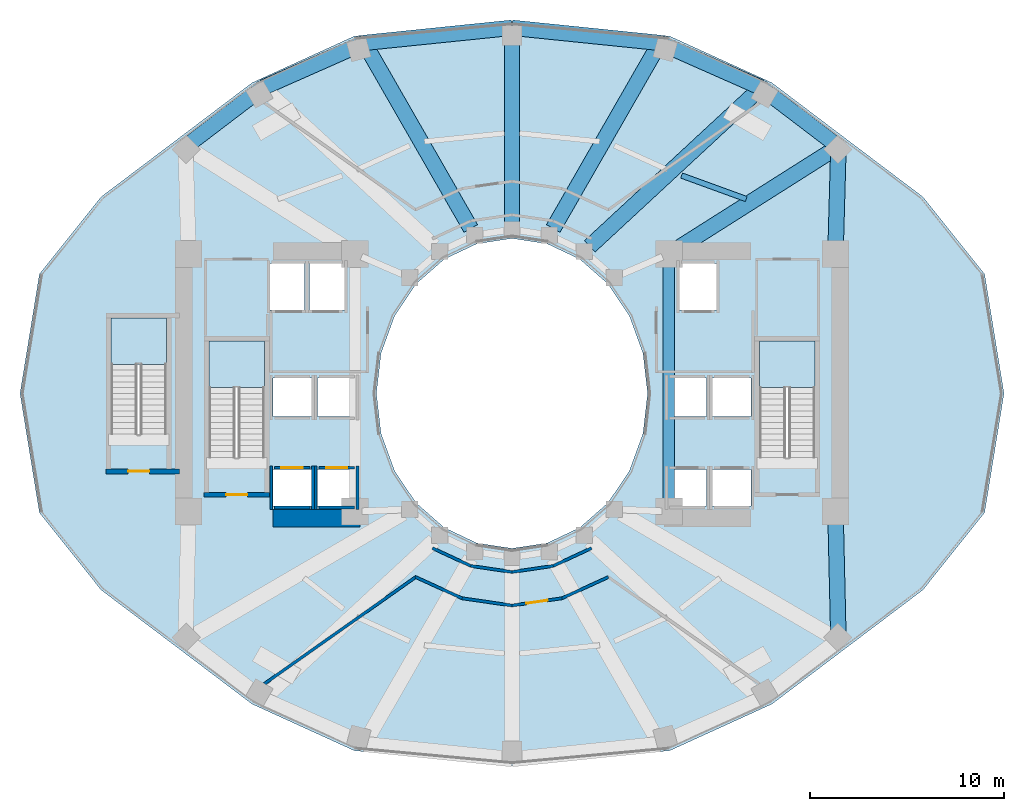
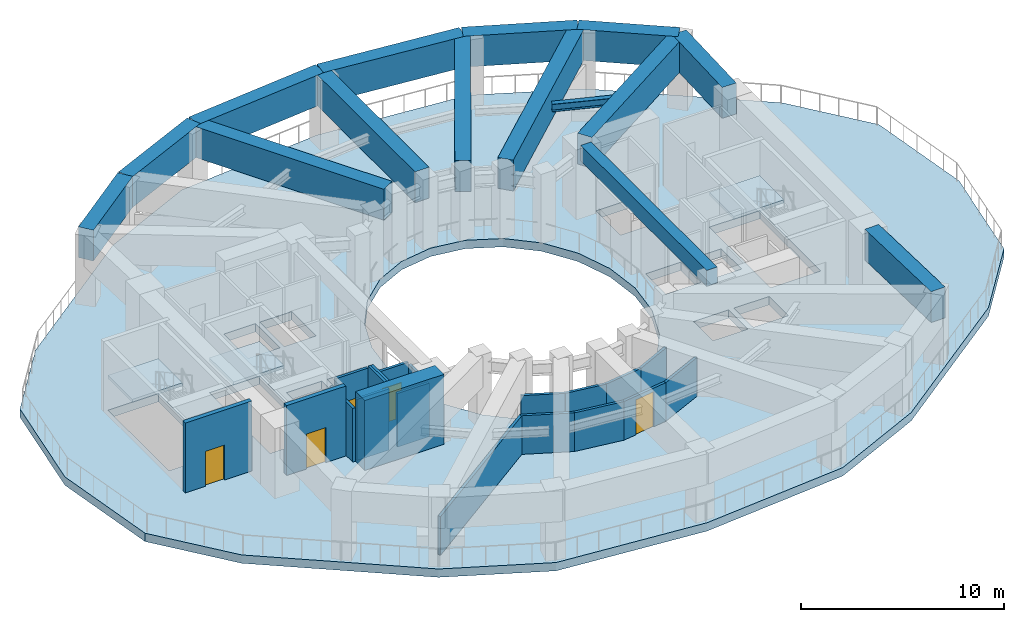
# One storey, part 2 of 10: 20 walls, 15 beams, 5 doors, 4 slabs, 5 openings, 3 elements without a shape of their own.
"""IFC4 building model written with IfcOpenShell, lengths in metres."""

import ifcopenshell
import ifcopenshell.guid

model = None  # the IFC model being written
_history = None  # IfcOwnerHistory: only IFC2X3 demands one
_inside = {}  # id of a spatial element -> (the spatial element, [elements in it])
_under = {}  # id of a project, library or spatial element -> (it, [spatial elements below it])
_declared = {}  # id of a project -> (the project, [libraries it declares])
_typed = {}  # id of a type object -> (the type object, [elements of that type])
_made_of = {}  # id of a material, layer set ... -> (it, [elements and type objects made of it])


def new_model(schema):
    """Start an empty IFC model of exactly this schema.

    Asked for "IFC4X3", IfcOpenShell would pick the latest addendum, in which some entities
    have other attributes; the version numbers below select the first issue.
    IFC2X3 requires an IfcOwnerHistory on every rooted entity: one is made here for all.
    """
    global model, _history
    if schema == "IFC4X3":
        model = ifcopenshell.file(schema_version=(4, 3, 0, 0))
    else:
        model = ifcopenshell.file(schema=schema)
    _inside.clear()
    _under.clear()
    _declared.clear()
    _typed.clear()
    _made_of.clear()
    _history = None
    if model.schema == "IFC2X3":
        org = make("IfcOrganization", Name="unknown")
        user = make(
            "IfcPersonAndOrganization",
            ThePerson=make("IfcPerson", FamilyName="unknown"),
            TheOrganization=org,
        )
        app = make(
            "IfcApplication",
            ApplicationDeveloper=org,
            Version="unknown",
            ApplicationFullName="unknown",
            ApplicationIdentifier="unknown",
        )
        _history = make(
            "IfcOwnerHistory",
            OwningUser=user,
            OwningApplication=app,
            ChangeAction="ADDED",
            CreationDate=0,
        )
    return model


def make(cls, **values):
    """One entity of the class cls with the attributes given. An attribute that is None is left unset."""
    return model.create_entity(
        cls, **{name: value for name, value in values.items() if value is not None}
    )


def rooted(cls, **values):
    """An entity with a GlobalId (a new one), such as an element, a storey or a relation."""
    return make(cls, GlobalId=ifcopenshell.guid.new(), OwnerHistory=_history, **values)


def si_unit(unit_type, name, prefix=None):
    """IfcSIUnit, for example si_unit("LENGTHUNIT", "METRE", prefix="MILLI")."""
    return make("IfcSIUnit", UnitType=unit_type, Prefix=prefix, Name=name)


def assignment(units):
    """IfcUnitAssignment: the units of a project."""
    return None if units is None else make("IfcUnitAssignment", Units=units)


def point(xyz):
    """IfcCartesianPoint."""
    return None if xyz is None else make("IfcCartesianPoint", Coordinates=xyz)


def direction(xyz):
    """IfcDirection."""
    return None if xyz is None else make("IfcDirection", DirectionRatios=xyz)


def frame(location, z_axis=None, x_axis=None):
    """IfcAxis2Placement3D, a coordinate frame: its origin and axes. An axis left out is left unset."""
    return make(
        "IfcAxis2Placement3D",
        Location=point(location),
        Axis=direction(z_axis),
        RefDirection=direction(x_axis),
    )


def frame_2d(location, x_axis=None):
    """IfcAxis2Placement2D, a coordinate frame in the plane: its origin and x axis."""
    return make(
        "IfcAxis2Placement2D", Location=point(location), RefDirection=direction(x_axis)
    )


def origin():
    """The frame at (0, 0, 0) with its axes left unset."""
    return frame((0.0, 0.0, 0.0))


def origin_2d():
    """The frame at (0, 0) in the plane with its x axis left unset."""
    return frame_2d((0.0, 0.0))


def place(relative_to, where):
    """IfcLocalPlacement: puts the frame where relative to a parent placement (None: the world)."""
    return make(
        "IfcLocalPlacement", PlacementRelTo=relative_to, RelativePlacement=where
    )


def context(
    kind, dimensions, precision=None, world=None, true_north=None, identifier=None
):
    """IfcGeometricRepresentationContext, for example the 3D "Model" context."""
    return make(
        "IfcGeometricRepresentationContext",
        ContextIdentifier=identifier,
        ContextType=kind,
        CoordinateSpaceDimension=dimensions,
        Precision=precision,
        WorldCoordinateSystem=world,
        TrueNorth=true_north,
    )


def subcontext(parent, identifier, kind, view, scale=None):
    """IfcGeometricRepresentationSubContext, for example "Body" below "Model"."""
    return make(
        "IfcGeometricRepresentationSubContext",
        ContextIdentifier=identifier,
        ContextType=kind,
        ParentContext=parent,
        TargetScale=scale,
        TargetView=view,
    )


def project(units=None, contexts=None):
    """IfcProject with its units and contexts."""
    return rooted(
        "IfcProject",
        Name="project",
        RepresentationContexts=contexts,
        UnitsInContext=assignment(units),
    )


def spatial(cls, under=None, at=None, **own):
    """A site, building, storey or space (cls), placed at a placement, below another one or the project."""
    s = rooted(cls, ObjectPlacement=at, **own)
    if under is not None:
        _under.setdefault(under.id(), (under, []))[1].append(s)
    return s


def polyline(points):
    """IfcPolyline through the points."""
    return make("IfcPolyline", Points=[point(p) for p in points])


def profile(cls, at=None, kind="AREA", **sizes):
    """A parametric profile (cls). Its sizes go by their IFC names, for example OverallWidth=200.0."""
    return make(cls, ProfileType=kind, Position=at, **sizes)


def rectangle(**sizes):
    """IfcRectangleProfileDef."""
    return profile("IfcRectangleProfileDef", **sizes)


def i_section(**sizes):
    """IfcIShapeProfileDef."""
    return profile("IfcIShapeProfileDef", **sizes)


def outline(outer, holes=None, kind="AREA"):
    """IfcArbitraryClosedProfileDef: a profile drawn as a closed curve; with holes, ...WithVoids."""
    if holes is None:
        return make("IfcArbitraryClosedProfileDef", ProfileType=kind, OuterCurve=outer)
    return make(
        "IfcArbitraryProfileDefWithVoids",
        ProfileType=kind,
        OuterCurve=outer,
        InnerCurves=holes,
    )


def extrude(swept, where, along, depth):
    """IfcExtrudedAreaSolid: the profile swept, set in the frame where, extruded along a direction by depth."""
    return make(
        "IfcExtrudedAreaSolid",
        SweptArea=swept,
        Position=where,
        ExtrudedDirection=direction(along),
        Depth=depth,
    )


def shape(context_of_items, identifier, shape_type, items):
    """IfcShapeRepresentation: the items that make up one representation, for example the "Body"."""
    return make(
        "IfcShapeRepresentation",
        ContextOfItems=context_of_items,
        RepresentationIdentifier=identifier,
        RepresentationType=shape_type,
        Items=items,
    )


def material(Name=None, Category=None):
    """IfcMaterial."""
    return make("IfcMaterial", Name=Name, Category=Category)


def layer(
    of_material, thickness, ventilated=None, Name=None, Category=None, Priority=None
):
    """IfcMaterialLayer: one layer of a wall or slab, of a material (None: an air gap)."""
    return make(
        "IfcMaterialLayer",
        Material=of_material,
        LayerThickness=thickness,
        IsVentilated=ventilated,
        Name=Name,
        Category=Category,
        Priority=Priority,
    )


def layer_set(layers, Name=None):
    """IfcMaterialLayerSet."""
    return make("IfcMaterialLayerSet", MaterialLayers=layers, LayerSetName=Name)


def material_profile(
    of_material, cross_section, Name=None, Category=None, Priority=None
):
    """IfcMaterialProfile: a cross section and its material."""
    return make(
        "IfcMaterialProfile",
        Name=Name,
        Material=of_material,
        Profile=cross_section,
        Priority=Priority,
        Category=Category,
    )


def profile_set(profiles, Name=None, composite=None):
    """IfcMaterialProfileSet."""
    return make(
        "IfcMaterialProfileSet",
        Name=Name,
        MaterialProfiles=profiles,
        CompositeProfile=composite,
    )


def made_of(thing, what):
    """Note that an element or type object is made of a material, layer set ...; save() writes the relation."""
    if what is not None:
        _made_of.setdefault(what.id(), (what, []))[1].append(thing)
    return thing


def type_object(cls, material=None, **own):
    """A type object (cls), such as IfcWallType, which elements share."""
    return made_of(rooted(cls, **own), material)


def element(
    cls,
    number,
    at=None,
    inside=None,
    cuts=None,
    type_object=None,
    material=None,
    context=None,
    identifier="Body",
    shape_type=None,
    held_by="IfcProductDefinitionShape",
    body=None,
    shapes=None,
    **own,
):
    """One element of the class cls, such as IfcWall. Its Tag is "e" and its number.

    at: its placement. inside: the storey or other place that contains it. cuts: it is an
    opening in that element (IfcRelVoidsElement). A single representation is given by context,
    identifier, shape_type and body (its items); several are given by shapes. held_by: the class
    of the entity that holds the representations. save() writes the other relations.
    """
    e = rooted(cls, Tag="e%d" % number, ObjectPlacement=at, **own)
    if body is not None:
        shapes = [shape(context, identifier, shape_type, body)]
    if shapes is not None:
        e.Representation = make(held_by, Representations=shapes)
    if inside is not None:
        _inside.setdefault(inside.id(), (inside, []))[1].append(e)
    if cuts is not None:
        rooted(
            "IfcRelVoidsElement", RelatingBuildingElement=cuts, RelatedOpeningElement=e
        )
    if type_object is not None:
        _typed.setdefault(type_object.id(), (type_object, []))[1].append(e)
    return made_of(e, material)


def fill(opening, filler):
    """IfcRelFillsElement: the door or window that sits in an opening."""
    return rooted(
        "IfcRelFillsElement",
        RelatingOpeningElement=opening,
        RelatedBuildingElement=filler,
    )


def aggregate(whole, parts):
    """IfcRelAggregates: a whole, such as a stair, and the parts it consists of."""
    return rooted("IfcRelAggregates", RelatingObject=whole, RelatedObjects=parts)


def save(model, path):
    """Write the relations noted so far, then the file.

    IfcRelAggregates (storeys below a building ...), IfcRelContainedInSpatialStructure (elements
    in a storey), IfcRelDefinesByType, IfcRelAssociatesMaterial and IfcRelDeclares: one each for
    every whole, place, type object, material and project.
    """
    for whole, parts in _under.values():
        aggregate(whole, parts)
    for where, things in _inside.values():
        rooted(
            "IfcRelContainedInSpatialStructure",
            RelatedElements=things,
            RelatingStructure=where,
        )
    for kind, things in _typed.values():
        rooted("IfcRelDefinesByType", RelatedObjects=things, RelatingType=kind)
    for what, things in _made_of.values():
        rooted("IfcRelAssociatesMaterial", RelatedObjects=things, RelatingMaterial=what)
    for by, libraries in _declared.values():
        rooted("IfcRelDeclares", RelatingContext=by, RelatedDefinitions=libraries)
    model.write(path)


model = new_model("IFC4")

# Units and contexts
model_context = context("Model", 3, precision=1e-05, world=origin(), true_north=direction((0.0, 1.0)))
body_context = subcontext(model_context, "Body", "Model", "MODEL_VIEW")
ifc_project = project(units=[si_unit("LENGTHUNIT", "METRE"), si_unit("AREAUNIT", "SQUARE_METRE"), si_unit("VOLUMEUNIT", "CUBIC_METRE"), si_unit("PLANEANGLEUNIT", "RADIAN"), si_unit("MASSUNIT", "GRAM", prefix="KILO")], contexts=[model_context])

# Site, building, storey
site_placement = place(None, origin())
site = spatial("IfcSite", under=ifc_project, at=site_placement, CompositionType="ELEMENT")
building_placement = place(site_placement, origin())
building = spatial("IfcBuilding", under=site, at=building_placement, Name="Solvane Sanctuary Tower", CompositionType="ELEMENT")
storey_placement = place(building_placement, frame((0.0, 0.0, 69.0)))
storey = spatial("IfcBuildingStorey", under=building, at=storey_placement, Name="L20", CompositionType="ELEMENT", Elevation=69.0)

# Beams
ifc_material_1 = material(Name="Concrete C70/85", Category="concrete")
ifc_material_profile_1 = material_profile(ifc_material_1, rectangle(XDim=0.60009765625, YDim=0.949951171875, at=origin_2d()), Name="RC600X950")
ifc_profile_set_1 = profile_set([ifc_material_profile_1], Name="Concrete C70/85")
beam_type_1 = type_object("IfcBeamType", Name="Beam B-COUPLE RC600X950", PredefinedType="LINTEL", material=ifc_profile_set_1)
beam_1_placement = place(storey_placement, frame((40.10009765625, 17.35009765625, 3.72509765625), z_axis=(0.0, 1.0, 0.0), x_axis=(-1.0, 0.0, 0.0)))
element("IfcBeam", 1, at=beam_1_placement, inside=storey, type_object=beam_type_1, Name="L20 East Core Coupling Lintel", PredefinedType="LINTEL", context=body_context, shape_type="SweptSolid", body=[
    extrude(rectangle(XDim=0.60009765625, YDim=0.949951171875, at=origin_2d()), origin(), (0.0, 0.0, 1.0), 12.39990234375),
])
ifc_material_2 = material(Name="Steel ASTM A992 Grade 50", Category="steel")
ifc_material_profile_2 = material_profile(ifc_material_2, i_section(OverallWidth=0.280029296875, OverallDepth=0.462890625, WebThickness=0.0107421875, FlangeThickness=0.017333984375, FilletRadius=0.013916015625, at=origin_2d()), Name="W18X76")
ifc_profile_set_2 = profile_set([ifc_material_profile_2], Name="Steel ASTM A992 Grade 50")
beam_type_2 = type_object("IfcBeamType", Name="Beam B-SEC-JOIST W18X76", PredefinedType="JOIST", material=ifc_profile_set_2)
beam_2_placement = place(storey_placement, frame((40.757080078125, 34.24560546875, 3.466552734375), z_axis=(0.939885819985, -0.341488865693, 0.0), x_axis=(0.341488865693, 0.939885819985, 0.0)))
element("IfcBeam", 2, at=beam_2_placement, inside=storey, type_object=beam_type_2, Name="L20 Secondary Circumferential Joist 02-01", PredefinedType="JOIST", context=body_context, shape_type="SweptSolid", body=[
    extrude(i_section(OverallWidth=0.280029296875, OverallDepth=0.462890625, WebThickness=0.0107421875, FlangeThickness=0.017333984375, FilletRadius=0.013916015625, at=origin_2d()), origin(), (0.0, 0.0, 1.0), 3.54736328125),
])
ifc_material_profile_3 = material_profile(ifc_material_1, rectangle(XDim=0.800048828125, YDim=1.85009765625, at=origin_2d()), Name="RC800X1850")
ifc_profile_set_3 = profile_set([ifc_material_profile_3], Name="Concrete C70/85")
beam_type_3 = type_object("IfcBeamType", Name="Beam B-XFER-BLK RC800X1850", PredefinedType="BEAM", material=ifc_profile_set_3)
beam_3_placement = place(storey_placement, frame((40.404052734375, 30.392578125, 3.27490234375), z_axis=(0.844849604548, 0.535003874467, 0.0), x_axis=(-0.535003874467, 0.844849604548, 0.0)))
element("IfcBeam", 3, at=beam_3_placement, inside=storey, type_object=beam_type_3, Name="L20 Block-Shift Radial Transfer Girder 01A", PredefinedType="BEAM", context=body_context, shape_type="SweptSolid", body=[
    extrude(rectangle(XDim=0.800048828125, YDim=1.85009765625, at=origin_2d()), origin(), (0.0, 0.0, 1.0), 10.00048828125),
])
beam_4_placement = place(storey_placement, frame((36.019775390625, 30.59521484375, 3.27490234375), z_axis=(0.733470698512, 0.679721071046, 0.0), x_axis=(-0.679721071046, 0.733470698512, 0.0)))
element("IfcBeam", 4, at=beam_4_placement, inside=storey, type_object=beam_type_3, Name="L20 Block-Shift Radial Transfer Girder 02A", PredefinedType="BEAM", context=body_context, shape_type="SweptSolid", body=[
    extrude(rectangle(XDim=0.800048828125, YDim=1.85009765625, at=origin_2d()), origin(), (0.0, 0.0, 1.0), 12.05029296875),
])
beam_5_placement = place(storey_placement, frame((34.12744140625, 31.514404296875, 3.27490234375), z_axis=(0.497803215092, 0.867290008615, 0.0), x_axis=(-0.867290008615, 0.497803215092, 0.0)))
element("IfcBeam", 5, at=beam_5_placement, inside=storey, type_object=beam_type_3, Name="L20 Block-Shift Radial Transfer Girder 03A", PredefinedType="BEAM", context=body_context, shape_type="SweptSolid", body=[
    extrude(rectangle(XDim=0.800048828125, YDim=1.85009765625, at=origin_2d()), origin(), (0.0, 0.0, 1.0), 11.052490234375),
])
beam_6_placement = place(storey_placement, frame((32.0, 31.85498046875, 3.27490234375), z_axis=(0.0, 1.0, 0.0), x_axis=(-1.0, 0.0, 0.0)))
element("IfcBeam", 6, at=beam_6_placement, inside=storey, type_object=beam_type_3, Name="L20 Block-Shift Radial Transfer Girder 04A", PredefinedType="BEAM", context=body_context, shape_type="SweptSolid", body=[
    extrude(rectangle(XDim=0.800048828125, YDim=1.85009765625, at=origin_2d()), origin(), (0.0, 0.0, 1.0), 10.02490234375),
])
beam_7_placement = place(storey_placement, frame((29.87255859375, 31.514404296875, 3.27490234375), z_axis=(-0.497803215092, 0.867290008615, 0.0), x_axis=(-0.867290008615, -0.497803215092, 0.0)))
element("IfcBeam", 7, at=beam_7_placement, inside=storey, type_object=beam_type_3, Name="L20 Block-Shift Radial Transfer Girder 05A", PredefinedType="BEAM", context=body_context, shape_type="SweptSolid", body=[
    extrude(rectangle(XDim=0.800048828125, YDim=1.85009765625, at=origin_2d()), origin(), (0.0, 0.0, 1.0), 11.052490234375),
])
beam_8_placement = place(storey_placement, frame((15.14697265625, 35.742919921875, 3.27490234375), z_axis=(0.795461851464, 0.606003665719, 0.0), x_axis=(-0.606003665719, 0.795461851464, 0.0)))
element("IfcBeam", 8, at=beam_8_placement, inside=storey, type_object=beam_type_3, Name="L20 Perimeter Step Transfer Ring NTC07-NTC06", PredefinedType="BEAM", context=body_context, shape_type="SweptSolid", body=[
    extrude(rectangle(XDim=0.800048828125, YDim=1.85009765625, at=origin_2d()), origin(), (0.0, 0.0, 1.0), 5.021728515625),
])
beam_9_placement = place(storey_placement, frame((19.1416015625, 38.7861328125, 3.27490234375), z_axis=(0.914461816427, 0.404672196101, 0.0), x_axis=(-0.404672196101, 0.914461816427, 0.0)))
element("IfcBeam", 9, at=beam_9_placement, inside=storey, type_object=beam_type_3, Name="L20 Perimeter Step Transfer Ring NTC06-NTC05", PredefinedType="BEAM", context=body_context, shape_type="SweptSolid", body=[
    extrude(rectangle(XDim=0.800048828125, YDim=1.85009765625, at=origin_2d()), origin(), (0.0, 0.0, 1.0), 5.718017578125),
])
for number, where, z_axis, x_axis, name in (
    (10, (24.37060546875, 41.10009765625, 3.27490234375), (0.994817332657, 0.101678289936, 0.0), (-0.101678289936, 0.994817332657, 0.0), "L20 Perimeter Step Transfer Ring NTC05-NTC04"),
    (11, (32.0, 41.8798828125, 3.27490234375), (0.994817332657, -0.101678289936, 0.0), (0.101678289936, 0.994817332657, 0.0), "L20 Perimeter Step Transfer Ring NTC04-NTC03"),
):
    element("IfcBeam", number, at=place(storey_placement, frame(where, z_axis=z_axis, x_axis=x_axis)), inside=storey, type_object=beam_type_3, Name=name, PredefinedType="BEAM", context=body_context, shape_type="SweptSolid", body=[
        extrude(rectangle(XDim=0.800048828125, YDim=1.85009765625, at=origin_2d()), origin(), (0.0, 0.0, 1.0), 7.669189453125),
    ])
beam_10_placement = place(storey_placement, frame((39.62939453125, 41.10009765625, 3.27490234375), z_axis=(0.914461816427, -0.404672196101, 0.0), x_axis=(0.404672196101, 0.914461816427, 0.0)))
element("IfcBeam", 12, at=beam_10_placement, inside=storey, type_object=beam_type_3, Name="L20 Perimeter Step Transfer Ring NTC03-NTC02", PredefinedType="BEAM", context=body_context, shape_type="SweptSolid", body=[
    extrude(rectangle(XDim=0.800048828125, YDim=1.85009765625, at=origin_2d()), origin(), (0.0, 0.0, 1.0), 5.718017578125),
])
beam_11_placement = place(storey_placement, frame((44.8583984375, 38.7861328125, 3.27490234375), z_axis=(0.795461851464, -0.606003665719, 0.0), x_axis=(0.606003665719, 0.795461851464, 0.0)))
element("IfcBeam", 13, at=beam_11_placement, inside=storey, type_object=beam_type_3, Name="L20 Perimeter Step Transfer Ring NTC02-NTC01", PredefinedType="BEAM", context=body_context, shape_type="SweptSolid", body=[
    extrude(rectangle(XDim=0.800048828125, YDim=1.85009765625, at=origin_2d()), origin(), (0.0, 0.0, 1.0), 5.021728515625),
])
beam_12_placement = place(storey_placement, frame((48.85302734375, 35.742919921875, 3.27490234375), z_axis=(-0.027591940282, -0.999619269938, 0.0), x_axis=(0.999619269938, -0.027591940282, 0.0)))
element("IfcBeam", 14, at=beam_12_placement, inside=storey, type_object=beam_type_3, Name="L20 Perimeter Step Transfer Ring NTC01-CE3", PredefinedType="BEAM", context=body_context, shape_type="SweptSolid", body=[
    extrude(rectangle(XDim=0.800048828125, YDim=1.85009765625, at=origin_2d()), origin(), (0.0, 0.0, 1.0), 5.18505859375),
])
beam_13_placement = place(storey_placement, frame((48.85302734375, 10.257080078125, 3.27490234375), z_axis=(-0.023036434167, 0.999734626139, 0.0), x_axis=(-0.999734626139, -0.023036434167, 0.0)))
element("IfcBeam", 15, at=beam_13_placement, inside=storey, type_object=beam_type_3, Name="L20 Perimeter Step Transfer Ring NTC14-CE2", PredefinedType="BEAM", context=body_context, shape_type="SweptSolid", body=[
    extrude(rectangle(XDim=0.800048828125, YDim=1.85009765625, at=origin_2d()), origin(), (0.0, 0.0, 1.0), 6.28466796875),
])

# Stair, slab
ifc_material_3 = material(Name="Concrete C45/55", Category="concrete")
stair_type = type_object("IfcStairType", Name="Stair ST-TOW", PredefinedType="HALF_TURN_STAIR", material=ifc_material_3)
stair_1_placement = place(storey_placement, origin())
stair_1 = element("IfcStair", 16, at=stair_1_placement, inside=storey, type_object=stair_type, Name="L20 Exit Stair ST-1 West Core", PredefinedType="HALF_TURN_STAIR")
ifc_layer_1 = layer(ifc_material_3, 0.199951171875, Name="Concrete C45/55")
ifc_layer_set_1 = layer_set([ifc_layer_1], Name="Concrete C45/55")
slab_type_1 = type_object("IfcSlabType", Name="Slab SL-LAND-180", PredefinedType="LANDING", material=ifc_layer_set_1)
slab_1_placement = place(storey_placement, frame((0.0, 0.0, 1.89990234375)))
slab_1 = element("IfcSlab", 17, at=slab_1_placement, type_object=slab_type_1, Name="ST-1 landing 1", PredefinedType="LANDING", context=body_context, shape_type="SweptSolid", body=[
    extrude(outline(polyline([(19.219970703125, 23.300048828125), (19.219970703125, 25.699951171875), (16.360107421875, 25.699951171875), (16.360107421875, 23.300048828125), (19.219970703125, 23.300048828125)])), origin(), (0.0, 0.0, 1.0), 0.2001953125),
])
aggregate(stair_1, [slab_1])

stair_2_placement = place(storey_placement, origin())
stair_2 = element("IfcStair", 18, at=stair_2_placement, inside=storey, type_object=stair_type, Name="L20 Exit Stair ST-2 East Core", PredefinedType="HALF_TURN_STAIR")
slab_2_placement = place(storey_placement, frame((0.0, 0.0, 1.89990234375)))
slab_2 = element("IfcSlab", 19, at=slab_2_placement, type_object=slab_type_1, Name="ST-2 landing 1", PredefinedType="LANDING", context=body_context, shape_type="SweptSolid", body=[
    extrude(outline(polyline([(47.639892578125, 23.300048828125), (47.639892578125, 25.699951171875), (44.780029296875, 25.699951171875), (44.780029296875, 23.300048828125), (47.639892578125, 23.300048828125)])), origin(), (0.0, 0.0, 1.0), 0.2001953125),
])
aggregate(stair_2, [slab_2])

stair_3_placement = place(storey_placement, origin())
stair_3 = element("IfcStair", 20, at=stair_3_placement, inside=storey, type_object=stair_type, Name="L20 Exit Stair ST-3 Pilgrim Tower Stair", PredefinedType="HALF_TURN_STAIR")
slab_3_placement = place(storey_placement, frame((0.0, 0.0, 1.89990234375)))
slab_3 = element("IfcSlab", 21, at=slab_3_placement, type_object=slab_type_1, Name="ST-3 landing 1", PredefinedType="LANDING", context=body_context, shape_type="SweptSolid", body=[
    extrude(outline(polyline([(14.159912109375, 24.5), (14.159912109375, 26.89990234375), (11.300048828125, 26.89990234375), (11.300048828125, 24.5), (14.159912109375, 24.5)])), origin(), (0.0, 0.0, 1.0), 0.2001953125),
])
aggregate(stair_3, [slab_3])

# Slab
ifc_material_4 = material(Name="Concrete C60/75", Category="concrete")
ifc_layer_2 = layer(ifc_material_4, 0.5, Name="Concrete C60/75")
ifc_layer_set_2 = layer_set([ifc_layer_2], Name="Concrete C60/75")
slab_type_2 = type_object("IfcSlabType", Name="Slab SL-XFER-500", PredefinedType="FLOOR", material=ifc_layer_set_2)
slab_4_placement = place(storey_placement, frame((0.0, 0.0, -0.5)))
element("IfcSlab", 22, at=slab_4_placement, inside=storey, type_object=slab_type_2, Name="L20 Primary Structural Slab", PredefinedType="FLOOR", context=body_context, shape_type="SweptSolid", body=[
    extrude(outline(polyline([(57.39990234375, 23.0), (56.399169921875, 29.15478515625), (53.213623046875, 33.145751953125), (49.31591796875, 36.089111328125), (45.422119140625, 39.035400390625), (40.142333984375, 41.443359375), (32.0, 42.199951171875), (23.857666015625, 41.443359375), (18.577880859375, 39.035400390625), (14.68408203125, 36.089111328125), (10.786376953125, 33.145751953125), (7.600830078125, 29.15478515625), (6.60009765625, 23.0), (7.600830078125, 16.84521484375), (10.786376953125, 12.854248046875), (14.68408203125, 9.910888671875), (18.577880859375, 6.964599609375), (23.857666015625, 4.556640625), (32.0, 3.800048828125), (40.142333984375, 4.556640625), (45.422119140625, 6.964599609375), (49.31591796875, 9.910888671875), (53.213623046875, 12.854248046875), (56.399169921875, 16.84521484375), (57.39990234375, 23.0)]), holes=[polyline([(38.761474609375, 20.929443359375), (38.062255859375, 19.0), (36.94970703125, 17.343017578125), (35.5, 16.07177734375), (33.811767578125, 15.272705078125), (32.0, 15.0), (30.188232421875, 15.272705078125), (28.5, 16.07177734375), (27.05029296875, 17.343017578125), (25.937744140625, 19.0), (25.238525390625, 20.929443359375), (25.0, 23.0), (25.238525390625, 25.070556640625), (25.937744140625, 27.0), (27.05029296875, 28.656982421875), (28.5, 29.92822265625), (30.188232421875, 30.727294921875), (32.0, 31.0), (33.811767578125, 30.727294921875), (35.5, 29.92822265625), (36.94970703125, 28.656982421875), (38.062255859375, 27.0), (38.761474609375, 25.070556640625), (39.0, 23.0), (38.761474609375, 20.929443359375)]), polyline([(16.360107421875, 19.699951171875), (16.360107421875, 25.699951171875), (19.219970703125, 25.699951171875), (19.219970703125, 19.699951171875), (16.360107421875, 19.699951171875)]), polyline([(44.780029296875, 19.699951171875), (44.780029296875, 25.699951171875), (47.639892578125, 25.699951171875), (47.639892578125, 19.699951171875), (44.780029296875, 19.699951171875)]), polyline([(11.300048828125, 20.89990234375), (11.300048828125, 26.89990234375), (14.159912109375, 26.89990234375), (14.159912109375, 20.89990234375), (11.300048828125, 20.89990234375)]), polyline([(19.64990234375, 19.080078125), (21.64990234375, 19.080078125), (21.64990234375, 17.179931640625), (19.64990234375, 17.179931640625), (19.64990234375, 19.080078125)]), polyline([(21.949951171875, 19.080078125), (23.949951171875, 19.080078125), (23.949951171875, 17.179931640625), (21.949951171875, 17.179931640625), (21.949951171875, 19.080078125)]), polyline([(40.050048828125, 19.080078125), (42.050048828125, 19.080078125), (42.050048828125, 17.179931640625), (40.050048828125, 17.179931640625), (40.050048828125, 19.080078125)]), polyline([(42.35009765625, 19.080078125), (44.35009765625, 19.080078125), (44.35009765625, 17.179931640625), (42.35009765625, 17.179931640625), (42.35009765625, 19.080078125)]), polyline([(19.64990234375, 23.800048828125), (21.64990234375, 23.800048828125), (21.64990234375, 21.800048828125), (19.64990234375, 21.800048828125), (19.64990234375, 23.800048828125)]), polyline([(42.35009765625, 23.800048828125), (44.35009765625, 23.800048828125), (44.35009765625, 21.800048828125), (42.35009765625, 21.800048828125), (42.35009765625, 23.800048828125)]), polyline([(21.949951171875, 23.800048828125), (23.949951171875, 23.800048828125), (23.949951171875, 21.800048828125), (21.949951171875, 21.800048828125), (21.949951171875, 23.800048828125)]), polyline([(40.050048828125, 23.800048828125), (42.050048828125, 23.800048828125), (42.050048828125, 21.800048828125), (40.050048828125, 21.800048828125), (40.050048828125, 23.800048828125)]), polyline([(19.5, 29.699951171875), (21.300048828125, 29.699951171875), (21.300048828125, 27.300048828125), (19.5, 27.300048828125), (19.5, 29.699951171875)]), polyline([(21.550048828125, 29.699951171875), (23.35009765625, 29.699951171875), (23.35009765625, 27.300048828125), (21.550048828125, 27.300048828125), (21.550048828125, 29.699951171875)]), polyline([(40.64990234375, 29.699951171875), (42.550048828125, 29.699951171875), (42.550048828125, 27.300048828125), (40.64990234375, 27.300048828125), (40.64990234375, 29.699951171875)])]), origin(), (0.0, 0.0, 1.0), 0.5),
])

# Walls
ifc_layer_3 = layer(ifc_material_1, 0.89990234375, Name="Concrete C70/85")
ifc_layer_set_3 = layer_set([ifc_layer_3], Name="Concrete C70/85")
wall_type_1 = type_object("IfcWallType", Name="Wall W-CORE-900", PredefinedType="SHEAR", material=ifc_layer_set_3)
wall_1_placement = place(storey_placement, frame((19.64990234375, 16.550048828125, 0.0), z_axis=(0.0, 0.0, 1.0), x_axis=(1.0, 0.0, 0.0)))
element("IfcWall", 23, at=wall_1_placement, inside=storey, type_object=wall_type_1, Name="L20 Core Shear Wall WC-S", PredefinedType="SHEAR", context=body_context, shape_type="SweptSolid", body=[
    extrude(rectangle(XDim=4.5, YDim=0.89990234375, at=frame_2d((2.25, 0.0))), origin(), (0.0, 0.0, 1.0), 4.199951171875),
])
ifc_material_5 = material(Name="Acoustic Gypsum Partition Board")
ifc_layer_4 = layer(ifc_material_5, 0.14990234375, Name="Acoustic Gypsum Partition Board")
ifc_layer_set_4 = layer_set([ifc_layer_4], Name="Acoustic Gypsum Partition Board")
wall_type_2 = type_object("IfcWallType", Name="Wall W-CORR-150", PredefinedType="PARTITIONING", material=ifc_layer_set_4)
wall_2_placement = place(storey_placement, frame((27.889892578125, 15.01513671875, 0.0), z_axis=(0.0, 0.0, 1.0), x_axis=(0.906943449489, -0.421252393975, 0.0)))
element("IfcWall", 24, at=wall_2_placement, inside=storey, type_object=wall_type_2, Name="L20 Light-Well Corridor Rim Wall S1", PredefinedType="PARTITIONING", context=body_context, shape_type="SweptSolid", body=[
    extrude(rectangle(XDim=2.18603515625, YDim=0.14990234375, at=frame_2d((1.093017578125, 0.0))), origin(), (0.0, 0.0, 1.0), 2.320068359375),
])
for number, where, z_axis, x_axis, name in (
    (25, (29.87255859375, 14.09423828125, 0.0), (0.0, 0.0, 1.0), (0.989268584896, -0.146108408166, 0.0), "L20 Light-Well Corridor Rim Wall S2"),
    (26, (32.0, 13.780029296875, 0.0), (0.0, 0.0, 1.0), (0.989268584896, 0.146108408166, 0.0), "L20 Light-Well Corridor Rim Wall S3"),
):
    element("IfcWall", number, at=place(storey_placement, frame(where, z_axis=z_axis, x_axis=x_axis)), inside=storey, type_object=wall_type_2, Name=name, PredefinedType="PARTITIONING", context=body_context, shape_type="SweptSolid", body=[
        extrude(rectangle(XDim=2.150634765625, YDim=0.14990234375, at=frame_2d((1.0751953125, 0.0))), origin(), (0.0, 0.0, 1.0), 2.320068359375),
    ])
wall_3_placement = place(storey_placement, frame((34.12744140625, 14.09423828125, 0.0), z_axis=(0.0, 0.0, 1.0), x_axis=(0.906943449489, 0.421252393975, 0.0)))
element("IfcWall", 27, at=wall_3_placement, inside=storey, type_object=wall_type_2, Name="L20 Light-Well Corridor Rim Wall S4", PredefinedType="PARTITIONING", context=body_context, shape_type="SweptSolid", body=[
    extrude(rectangle(XDim=2.18603515625, YDim=0.14990234375, at=frame_2d((1.093017578125, 0.0))), origin(), (0.0, 0.0, 1.0), 2.320068359375),
])
wall_4_placement = place(storey_placement, frame((27.06591796875, 13.5458984375, 0.0), z_axis=(0.0, 0.0, 1.0), x_axis=(-0.817064271391, -0.576546595182, 0.0)))
element("IfcWall", 28, at=wall_4_placement, inside=storey, type_object=wall_type_2, Name="L20 Refuge Area Radial Screen 240", PredefinedType="PARTITIONING", context=body_context, shape_type="SweptSolid", body=[
    extrude(rectangle(XDim=9.61376953125, YDim=0.14990234375, at=frame_2d((4.806884765625, 0.0))), origin(), (0.0, 0.0, 1.0), 2.320068359375),
])
wall_5_placement = place(storey_placement, frame((27.01904296875, 13.520751953125, 0.0), z_axis=(0.0, 0.0, 1.0), x_axis=(0.909819048293, -0.415005179923, 0.0)))
element("IfcWall", 29, at=wall_5_placement, inside=storey, type_object=wall_type_2, Name="L20 Refuge Lobby Wall 2", PredefinedType="PARTITIONING", context=body_context, shape_type="SweptSolid", body=[
    extrude(rectangle(XDim=2.64599609375, YDim=0.14990234375, at=frame_2d((1.322998046875, 0.0))), origin(), (0.0, 0.0, 1.0), 2.320068359375),
])
wall_6_placement = place(storey_placement, frame((29.423095703125, 12.423583984375, 0.0), z_axis=(0.0, 0.0, 1.0), x_axis=(0.989670234806, -0.143362569518, 0.0)))
element("IfcWall", 30, at=wall_6_placement, inside=storey, type_object=wall_type_2, Name="L20 Refuge Lobby Wall 2", PredefinedType="PARTITIONING", context=body_context, shape_type="SweptSolid", body=[
    extrude(rectangle(XDim=2.60546875, YDim=0.14990234375, at=frame_2d((1.302734375, 0.0))), origin(), (0.0, 0.0, 1.0), 2.320068359375),
])

# Wall, opening, door
wall_7_placement = place(storey_placement, frame((31.998291015625, 12.050048828125, 0.0), z_axis=(0.0, 0.0, 1.0), x_axis=(0.989670234806, 0.143362569518, 0.0)))
wall_7 = element("IfcWall", 31, at=wall_7_placement, inside=storey, type_object=wall_type_2, Name="L20 Refuge Lobby Wall 2", PredefinedType="PARTITIONING", context=body_context, shape_type="SweptSolid", body=[
    extrude(rectangle(XDim=2.60546875, YDim=0.14990234375, at=frame_2d((1.302734375, 0.0))), origin(), (0.0, 0.0, 1.0), 2.320068359375),
])
opening_1_placement = place(wall_7_placement, frame((0.752685546875, 0.0, 0.0)))
opening_1 = element("IfcOpeningElement", 32, at=opening_1_placement, cuts=wall_7, Name="Opening D-L20-07", PredefinedType="OPENING", context=body_context, shape_type="SweptSolid", body=[
    extrude(rectangle(XDim=1.10009765625, YDim=2.10009765625, at=frame_2d((0.550048828125, 1.050048828125))), frame((0.0, 0.0849609375, 0.0), z_axis=(0.0, -1.0, 0.0), x_axis=(1.0, 0.0, 0.0)), (0.0, 0.0, 1.0), 0.169921875),
])
ifc_material_6 = material(Name="Architectural Stainless Steel 316", Category="steel")
door_type_1 = type_object("IfcDoorType", Name="Door D-FFL", OperationType="NOTDEFINED", PredefinedType="DOOR", material=ifc_material_6)
door_1_placement = place(opening_1_placement, origin())
door_1 = element("IfcDoor", 33, at=door_1_placement, inside=storey, type_object=door_type_1, Name="L20 South Open Sky Refuge Deck Door", OperationType="SINGLE_SWING_RIGHT", OverallHeight=2.10009765625, OverallWidth=1.10009765625, PredefinedType="DOOR", context=body_context, shape_type="SweptSolid", body=[
    extrude(rectangle(XDim=1.10009765625, YDim=2.10009765625, at=frame_2d((0.550048828125, 1.050048828125))), frame((0.0, 0.02490234375, 0.0), z_axis=(0.0, -1.0, 0.0), x_axis=(1.0, 0.0, 0.0)), (0.0, 0.0, 1.0), 0.050048828125),
])
fill(opening_1, door_1)

# Wall
wall_8_placement = place(storey_placement, frame((34.573486328125, 12.422607421875, 0.0), z_axis=(0.0, 0.0, 1.0), x_axis=(0.909819048293, 0.415005179923, 0.0)))
element("IfcWall", 34, at=wall_8_placement, inside=storey, type_object=wall_type_2, Name="L20 Refuge Lobby Wall 2", PredefinedType="PARTITIONING", context=body_context, shape_type="SweptSolid", body=[
    extrude(rectangle(XDim=2.64599609375, YDim=0.14990234375, at=frame_2d((1.322998046875, 0.0))), origin(), (0.0, 0.0, 1.0), 2.320068359375),
])

# Wall, opening, door
ifc_material_7 = material(Name="Concrete C50/60", Category="concrete")
ifc_layer_5 = layer(ifc_material_7, 0.14990234375, Name="Concrete C50/60")
ifc_layer_set_5 = layer_set([ifc_layer_5], Name="Concrete C50/60")
wall_type_3 = type_object("IfcWallType", Name="Wall W-SHAFT-150", PredefinedType="SOLIDWALL", material=ifc_layer_set_5)
wall_9_placement = place(storey_placement, frame((19.739990234375, 19.159912109375, 0.0), z_axis=(0.0, 0.0, 1.0), x_axis=(1.0, 0.0, 0.0)))
wall_9 = element("IfcWall", 35, at=wall_9_placement, inside=storey, type_object=wall_type_3, Name="L20 PL-1 Lift Shaft Wall F", PredefinedType="SOLIDWALL", context=body_context, shape_type="SweptSolid", body=[
    extrude(rectangle(XDim=1.820068359375, YDim=0.14990234375, at=frame_2d((0.91015625, 0.0))), origin(), (0.0, 0.0, 1.0), 3.675048828125),
])
opening_2_placement = place(wall_9_placement, frame((0.360107421875, 0.0, 0.0)))
opening_2 = element("IfcOpeningElement", 36, at=opening_2_placement, cuts=wall_9, Name="Opening LD-L20-01", PredefinedType="OPENING", context=body_context, shape_type="SweptSolid", body=[
    extrude(rectangle(XDim=1.10009765625, YDim=2.10009765625, at=frame_2d((0.550048828125, 1.050048828125))), frame((0.0, 0.0849609375, 0.0), z_axis=(0.0, -1.0, 0.0), x_axis=(1.0, 0.0, 0.0)), (0.0, 0.0, 1.0), 0.169921875),
])
door_type_2 = type_object("IfcDoorType", Name="Door LD-PASS-1100", OperationType="NOTDEFINED", PredefinedType="DOOR", material=ifc_material_6)
door_2_placement = place(opening_2_placement, origin())
door_2 = element("IfcDoor", 37, at=door_2_placement, inside=storey, type_object=door_type_2, Name="L20 PL-1 Lift Landing Door", OperationType="DOUBLE_DOOR_SLIDING", OverallHeight=2.10009765625, OverallWidth=1.10009765625, PredefinedType="DOOR", context=body_context, shape_type="SweptSolid", body=[
    extrude(rectangle(XDim=1.10009765625, YDim=2.10009765625, at=frame_2d((0.550048828125, 1.050048828125))), frame((0.0, 0.02490234375, 0.0), z_axis=(0.0, -1.0, 0.0), x_axis=(1.0, 0.0, 0.0)), (0.0, 0.0, 1.0), 0.050048828125),
])
fill(opening_2, door_2)

# Walls
wall_10_placement = place(storey_placement, frame((19.739990234375, 17.10009765625, 0.0), z_axis=(0.0, 0.0, 1.0), x_axis=(1.0, 0.0, 0.0)))
element("IfcWall", 38, at=wall_10_placement, inside=storey, type_object=wall_type_3, Name="L20 PL-1 Lift Shaft Wall B", PredefinedType="SOLIDWALL", context=body_context, shape_type="SweptSolid", body=[
    extrude(rectangle(XDim=1.820068359375, YDim=0.14990234375, at=frame_2d((0.91015625, 0.0))), origin(), (0.0, 0.0, 1.0), 3.675048828125),
])
wall_11_placement = place(storey_placement, frame((19.570068359375, 17.02001953125, 0.0), z_axis=(0.0, 0.0, 1.0), x_axis=(0.0, 1.0, 0.0)))
element("IfcWall", 39, at=wall_11_placement, inside=storey, type_object=wall_type_3, Name="L20 PL-1 Lift Shaft Wall S1", PredefinedType="SOLIDWALL", context=body_context, shape_type="SweptSolid", body=[
    extrude(rectangle(XDim=2.219970703125, YDim=0.14990234375, at=frame_2d((1.10986328125, 0.0))), origin(), (0.0, 0.0, 1.0), 3.219970703125),
])
wall_12_placement = place(storey_placement, frame((21.72998046875, 17.02001953125, 0.0), z_axis=(0.0, 0.0, 1.0), x_axis=(0.0, 1.0, 0.0)))
element("IfcWall", 40, at=wall_12_placement, inside=storey, type_object=wall_type_3, Name="L20 PL-1 Lift Shaft Wall S2", PredefinedType="SOLIDWALL", context=body_context, shape_type="SweptSolid", body=[
    extrude(rectangle(XDim=2.219970703125, YDim=0.14990234375, at=frame_2d((1.10986328125, 0.0))), origin(), (0.0, 0.0, 1.0), 3.675048828125),
])

# Wall, opening, door
wall_13_placement = place(storey_placement, frame((22.0400390625, 19.159912109375, 0.0), z_axis=(0.0, 0.0, 1.0), x_axis=(1.0, 0.0, 0.0)))
wall_13 = element("IfcWall", 41, at=wall_13_placement, inside=storey, type_object=wall_type_3, Name="L20 PL-2 Lift Shaft Wall F", PredefinedType="SOLIDWALL", context=body_context, shape_type="SweptSolid", body=[
    extrude(rectangle(XDim=1.820068359375, YDim=0.14990234375, at=frame_2d((0.91015625, 0.0))), origin(), (0.0, 0.0, 1.0), 3.219970703125),
])
opening_3_placement = place(wall_13_placement, frame((0.360107421875, 0.0, 0.0)))
opening_3 = element("IfcOpeningElement", 42, at=opening_3_placement, cuts=wall_13, Name="Opening LD-L20-02", PredefinedType="OPENING", context=body_context, shape_type="SweptSolid", body=[
    extrude(rectangle(XDim=1.10009765625, YDim=2.10009765625, at=frame_2d((0.550048828125, 1.050048828125))), frame((0.0, 0.0849609375, 0.0), z_axis=(0.0, -1.0, 0.0), x_axis=(1.0, 0.0, 0.0)), (0.0, 0.0, 1.0), 0.169921875),
])
door_3_placement = place(opening_3_placement, origin())
door_3 = element("IfcDoor", 43, at=door_3_placement, inside=storey, type_object=door_type_2, Name="L20 PL-2 Lift Landing Door", OperationType="DOUBLE_DOOR_SLIDING", OverallHeight=2.10009765625, OverallWidth=1.10009765625, PredefinedType="DOOR", context=body_context, shape_type="SweptSolid", body=[
    extrude(rectangle(XDim=1.10009765625, YDim=2.10009765625, at=frame_2d((0.550048828125, 1.050048828125))), frame((0.0, 0.02490234375, 0.0), z_axis=(0.0, -1.0, 0.0), x_axis=(1.0, 0.0, 0.0)), (0.0, 0.0, 1.0), 0.050048828125),
])
fill(opening_3, door_3)

# Walls
wall_14_placement = place(storey_placement, frame((22.0400390625, 17.10009765625, 0.0), z_axis=(0.0, 0.0, 1.0), x_axis=(1.0, 0.0, 0.0)))
element("IfcWall", 44, at=wall_14_placement, inside=storey, type_object=wall_type_3, Name="L20 PL-2 Lift Shaft Wall B", PredefinedType="SOLIDWALL", context=body_context, shape_type="SweptSolid", body=[
    extrude(rectangle(XDim=1.820068359375, YDim=0.14990234375, at=frame_2d((0.91015625, 0.0))), origin(), (0.0, 0.0, 1.0), 3.219970703125),
])
wall_15_placement = place(storey_placement, frame((21.8701171875, 17.02001953125, 0.0), z_axis=(0.0, 0.0, 1.0), x_axis=(0.0, 1.0, 0.0)))
element("IfcWall", 45, at=wall_15_placement, inside=storey, type_object=wall_type_3, Name="L20 PL-2 Lift Shaft Wall S1", PredefinedType="SOLIDWALL", context=body_context, shape_type="SweptSolid", body=[
    extrude(rectangle(XDim=2.219970703125, YDim=0.14990234375, at=frame_2d((1.10986328125, 0.0))), origin(), (0.0, 0.0, 1.0), 3.675048828125),
])
wall_16_placement = place(storey_placement, frame((24.030029296875, 17.02001953125, 0.0), z_axis=(0.0, 0.0, 1.0), x_axis=(0.0, 1.0, 0.0)))
element("IfcWall", 46, at=wall_16_placement, inside=storey, type_object=wall_type_3, Name="L20 PL-2 Lift Shaft Wall S2", PredefinedType="SOLIDWALL", context=body_context, shape_type="SweptSolid", body=[
    extrude(rectangle(XDim=2.219970703125, YDim=0.14990234375, at=frame_2d((1.10986328125, 0.0))), origin(), (0.0, 0.0, 1.0), 2.972900390625),
])

# Wall, opening, door
ifc_layer_6 = layer(ifc_material_7, 0.25, Name="Concrete C50/60")
ifc_layer_set_6 = layer_set([ifc_layer_6], Name="Concrete C50/60")
wall_type_4 = type_object("IfcWallType", Name="Wall W-SHAFT-250", PredefinedType="SOLIDWALL", material=ifc_layer_set_6)
wall_17_placement = place(storey_placement, frame((16.10498046875, 17.77001953125, 0.0), z_axis=(0.0, 0.0, 1.0), x_axis=(1.0, 0.0, 0.0)))
wall_17 = element("IfcWall", 47, at=wall_17_placement, inside=storey, type_object=wall_type_4, Name="L20 ST-1 Load-Bearing Shaft Wall S", PredefinedType="SOLIDWALL", context=body_context, shape_type="SweptSolid", body=[
    extrude(rectangle(XDim=3.3701171875, YDim=0.25, at=frame_2d((1.68505859375, 0.0))), origin(), (0.0, 0.0, 1.0), 4.199951171875),
])
opening_4_placement = place(wall_17_placement, frame((1.135009765625, 0.0, 0.0)))
opening_4 = element("IfcOpeningElement", 48, at=opening_4_placement, cuts=wall_17, Name="Opening D-L20-01", PredefinedType="OPENING", context=body_context, shape_type="SweptSolid", body=[
    extrude(rectangle(XDim=1.10009765625, YDim=2.10009765625, at=frame_2d((0.550048828125, 1.050048828125))), frame((0.0, 0.135009765625, 0.0), z_axis=(0.0, -1.0, 0.0), x_axis=(1.0, 0.0, 0.0)), (0.0, 0.0, 1.0), 0.27001953125),
])
door_type_3 = type_object("IfcDoorType", Name="Door D-STAIR", OperationType="NOTDEFINED", PredefinedType="DOOR", material=ifc_material_6)
door_4_placement = place(opening_4_placement, origin())
door_4 = element("IfcDoor", 49, at=door_4_placement, inside=storey, type_object=door_type_3, Name="L20 ST-1 Exit Stair Fire Door", OperationType="SINGLE_SWING_RIGHT", OverallHeight=2.10009765625, OverallWidth=1.10009765625, PredefinedType="DOOR", context=body_context, shape_type="SweptSolid", body=[
    extrude(rectangle(XDim=1.10009765625, YDim=2.10009765625, at=frame_2d((0.550048828125, 1.050048828125))), frame((0.0, 0.02490234375, 0.0), z_axis=(0.0, -1.0, 0.0), x_axis=(1.0, 0.0, 0.0)), (0.0, 0.0, 1.0), 0.050048828125),
])
fill(opening_4, door_4)

wall_18_placement = place(storey_placement, frame((11.044921875, 18.969970703125, 0.0), z_axis=(0.0, 0.0, 1.0), x_axis=(1.0, 0.0, 0.0)))
wall_18 = element("IfcWall", 50, at=wall_18_placement, inside=storey, type_object=wall_type_4, Name="L20 ST-3 Load-Bearing Shaft Wall S", PredefinedType="SOLIDWALL", context=body_context, shape_type="SweptSolid", body=[
    extrude(rectangle(XDim=3.781982421875, YDim=0.25, at=frame_2d((1.89111328125, 0.0))), origin(), (0.0, 0.0, 1.0), 4.199951171875),
])
opening_5_placement = place(wall_18_placement, frame((1.135009765625, 0.0, 0.0)))
opening_5 = element("IfcOpeningElement", 51, at=opening_5_placement, cuts=wall_18, Name="Opening D-L20-03", PredefinedType="OPENING", context=body_context, shape_type="SweptSolid", body=[
    extrude(rectangle(XDim=1.10009765625, YDim=2.10009765625, at=frame_2d((0.550048828125, 1.050048828125))), frame((0.0, 0.135009765625, 0.0), z_axis=(0.0, -1.0, 0.0), x_axis=(1.0, 0.0, 0.0)), (0.0, 0.0, 1.0), 0.27001953125),
])
door_5_placement = place(opening_5_placement, origin())
door_5 = element("IfcDoor", 52, at=door_5_placement, inside=storey, type_object=door_type_3, Name="L20 ST-3 Exit Stair Fire Door", OperationType="SINGLE_SWING_RIGHT", OverallHeight=2.10009765625, OverallWidth=1.10009765625, PredefinedType="DOOR", context=body_context, shape_type="SweptSolid", body=[
    extrude(rectangle(XDim=1.10009765625, YDim=2.10009765625, at=frame_2d((0.550048828125, 1.050048828125))), frame((0.0, 0.02490234375, 0.0), z_axis=(0.0, -1.0, 0.0), x_axis=(1.0, 0.0, 0.0)), (0.0, 0.0, 1.0), 0.050048828125),
])
fill(opening_5, door_5)

save(model, "model.ifc")
